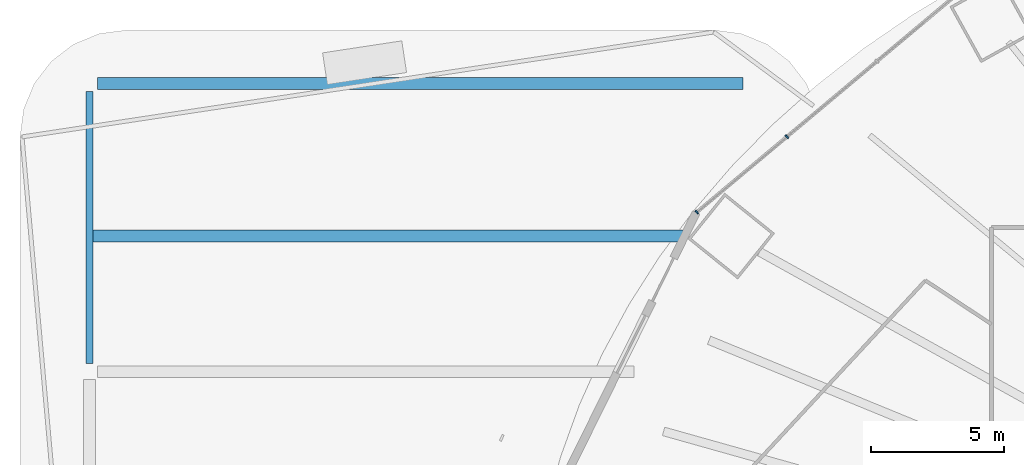
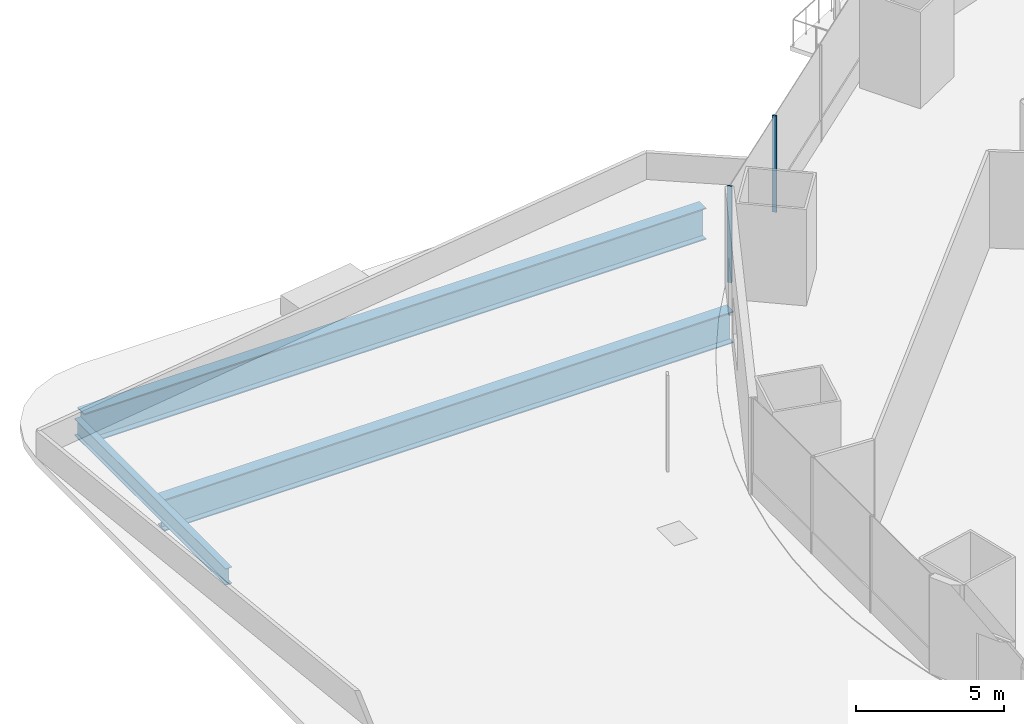
# One storey, part 8 of 27: 3 beams, 2 members, 1 element without a shape of its own.
"""IFC4 building model written with IfcOpenShell, lengths in metres."""

from ifc_helpers import new_model, si_unit, direction, frame, origin, origin_2d, place, context, subcontext, project, spatial, rectangle, i_section, extrude, material, material_profile, profile_set, type_object, element, aggregate, save


model = new_model("IFC4")

# Units and contexts
model_context = context("Model", 3, precision=1e-05, world=origin(), true_north=direction((0.0, 1.0)))
body_context = subcontext(model_context, "Body", "Model", "MODEL_VIEW")
ifc_project = project(units=[si_unit("LENGTHUNIT", "METRE"), si_unit("AREAUNIT", "SQUARE_METRE"), si_unit("VOLUMEUNIT", "CUBIC_METRE"), si_unit("PLANEANGLEUNIT", "RADIAN"), si_unit("MASSUNIT", "GRAM", prefix="KILO")], contexts=[model_context])

# Site, building, storey
site_placement = place(None, origin())
site = spatial("IfcSite", under=ifc_project, at=site_placement, CompositionType="ELEMENT")
building_placement = place(site_placement, origin())
building = spatial("IfcBuilding", under=site, at=building_placement, Name="Marenthal Gate Tower", CompositionType="ELEMENT")
storey_placement = place(building_placement, frame((0.0, 0.0, 33.0)))
storey = spatial("IfcBuildingStorey", under=building, at=storey_placement, Name="L04", CompositionType="ELEMENT", Elevation=33.0)

# Curtain wall, members
ifc_material_1 = material(Name="Aluminium and glass", Category="aluminium")
curtain_wall_type = type_object("IfcCurtainWallType", Name="Curtain wall typical low", PredefinedType="NOTDEFINED", material=ifc_material_1)
curtain_wall_placement = place(storey_placement, origin())
curtain_wall = element("IfcCurtainWall", 1, at=curtain_wall_placement, inside=storey, type_object=curtain_wall_type, Name="Curtain wall L04 bay 6", PredefinedType="NOTDEFINED")
ifc_material_2 = material(Name="Aluminium", Category="aluminium")
ifc_material_profile_1 = material_profile(ifc_material_2, rectangle(XDim=0.159912109375, YDim=0.06005859375, at=origin_2d()), Name="60x160 aluminium mullion")
ifc_profile_set_1 = profile_set([ifc_material_profile_1], Name="Aluminium")
member_type = type_object("IfcMemberType", Name="Mullion 60x160 typical low", PredefinedType="MULLION", material=ifc_profile_set_1)
member_1_placement = place(storey_placement, frame((-27.26513671875, 20.00244140625, 0.0), z_axis=(0.0, 0.0, 1.0), x_axis=(0.641982192245, -0.76671954771, 0.0)))
member_1 = element("IfcMember", 2, at=member_1_placement, type_object=member_type, Name="Mullion L04 bay 6.3", PredefinedType="MULLION", context=body_context, shape_type="SweptSolid", body=[
    extrude(rectangle(XDim=0.159912109375, YDim=0.06005859375, at=origin_2d()), origin(), (0.0, 0.0, 1.0), 3.969970703125),
])
member_2_placement = place(storey_placement, frame((-30.6416015625, 17.17529296875, 0.0), z_axis=(0.0, 0.0, 1.0), x_axis=(0.641982192245, -0.76671954771, 0.0)))
member_2 = element("IfcMember", 3, at=member_2_placement, type_object=member_type, Name="Mullion L04 bay 6.4", PredefinedType="MULLION", context=body_context, shape_type="SweptSolid", body=[
    extrude(rectangle(XDim=0.159912109375, YDim=0.06005859375, at=origin_2d()), origin(), (0.0, 0.0, 1.0), 3.969970703125),
])
aggregate(curtain_wall, [member_1, member_2])

# Beams
ifc_material_3 = material(Name="Steel S355", Category="steel")
ifc_material_profile_2 = material_profile(ifc_material_3, i_section(OverallWidth=0.4599609375, OverallDepth=1.300048828125, WebThickness=0.02490234375, FlangeThickness=0.044921875, at=origin_2d()), Name="PLATE GIRDER 1300X460X25X45")
ifc_profile_set_2 = profile_set([ifc_material_profile_2], Name="Steel S355")
beam_type_1 = type_object("IfcBeamType", Name="PLATE GIRDER 1300X460X25X45 beam", PredefinedType="BEAM", material=ifc_profile_set_2)
beam_1_placement = place(storey_placement, frame((-31.148193359375, 16.2783203125, -0.989990234375), z_axis=(-1.0, 0.0, 0.0), x_axis=(0.0, -1.0, 0.0)))
element("IfcBeam", 4, at=beam_1_placement, inside=storey, type_object=beam_type_1, Name="BM-L04-123", PredefinedType="BEAM", context=body_context, shape_type="SweptSolid", body=[
    extrude(i_section(OverallWidth=0.4599609375, OverallDepth=1.300048828125, WebThickness=0.02490234375, FlangeThickness=0.044921875, at=origin_2d()), origin(), (0.0, 0.0, 1.0), 22.124755859375),
])
beam_2_placement = place(storey_placement, frame((-28.89990234375, 22.0, -0.989990234375), z_axis=(-1.0, 0.0, 0.0), x_axis=(0.0, -1.0, 0.0)))
element("IfcBeam", 5, at=beam_2_placement, inside=storey, type_object=beam_type_1, Name="BM-L04-124", PredefinedType="BEAM", context=body_context, shape_type="SweptSolid", body=[
    extrude(i_section(OverallWidth=0.4599609375, OverallDepth=1.300048828125, WebThickness=0.02490234375, FlangeThickness=0.044921875, at=origin_2d()), origin(), (0.0, 0.0, 1.0), 24.2001953125),
])
ifc_material_4 = material(Name="Steel S355", Category="steel")
ifc_material_profile_3 = material_profile(ifc_material_4, i_section(OverallWidth=0.25390625, OverallDepth=0.68310546875, WebThickness=0.012451171875, FlangeThickness=0.018798828125, FilletRadius=0.01513671875, at=origin_2d()), Name="W690X140")
ifc_profile_set_3 = profile_set([ifc_material_profile_3], Name="Steel S355")
beam_type_2 = type_object("IfcBeamType", Name="W690X140 beam", PredefinedType="BEAM", material=ifc_profile_set_3)
beam_3_placement = place(storey_placement, frame((-53.39990234375, 11.5, -0.681396484375), z_axis=(0.0, 1.0, 0.0), x_axis=(-1.0, 0.0, 0.0)))
element("IfcBeam", 6, at=beam_3_placement, inside=storey, type_object=beam_type_2, Name="BM-L04-115", PredefinedType="BEAM", context=body_context, shape_type="SweptSolid", body=[
    extrude(i_section(OverallWidth=0.25390625, OverallDepth=0.68310546875, WebThickness=0.012451171875, FlangeThickness=0.018798828125, FilletRadius=0.01513671875, at=origin_2d()), origin(), (0.0, 0.0, 1.0), 10.199951171875),
])

save(model, "model.ifc")
